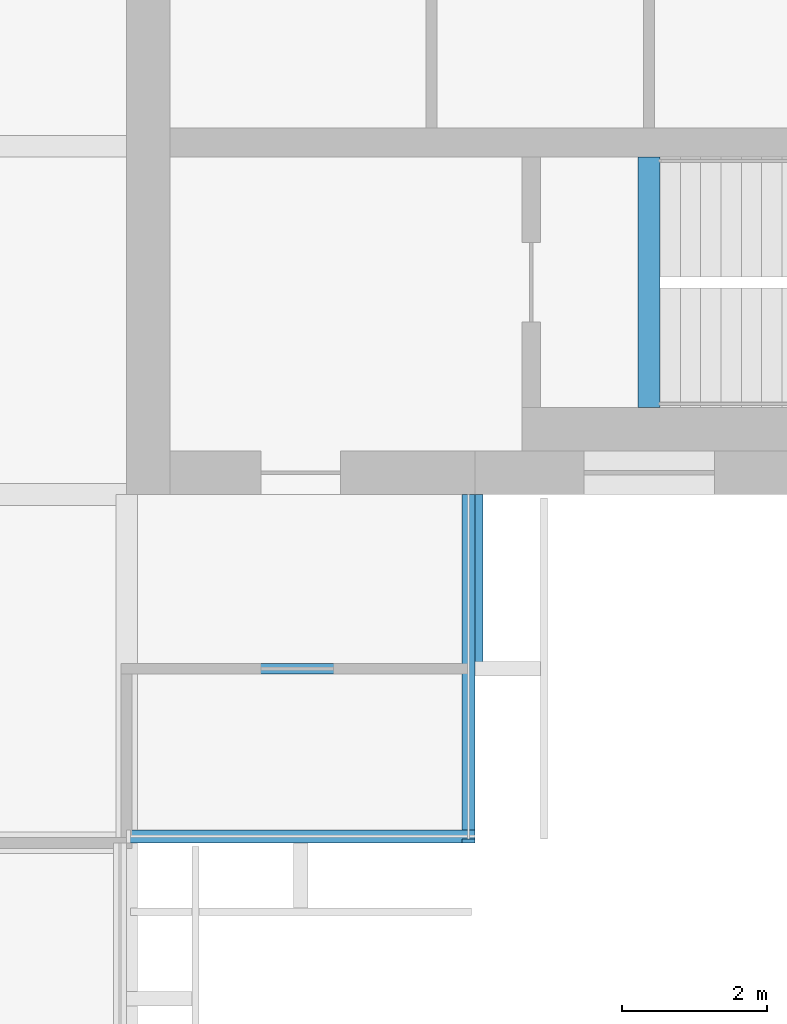
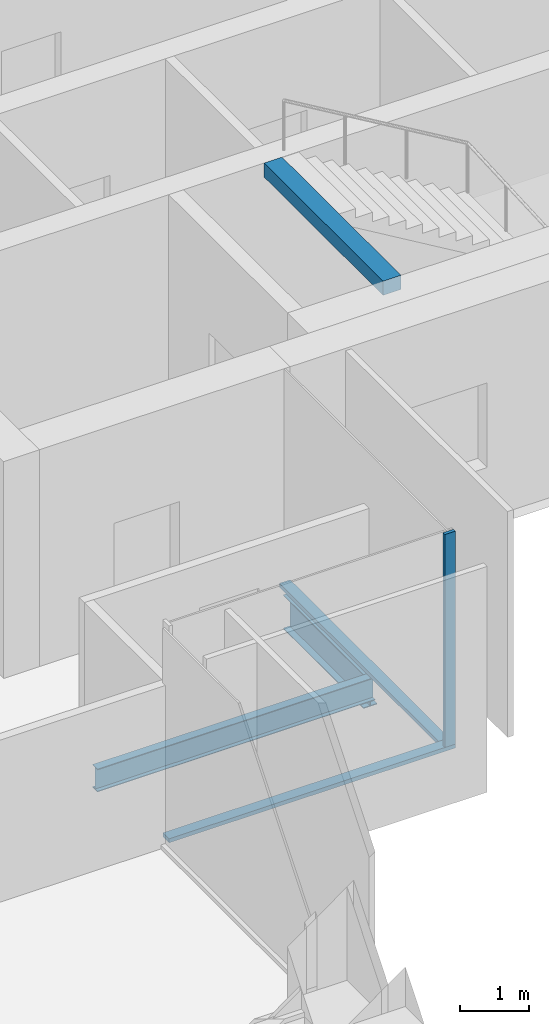
# One storey, part 4 of 12: 3 beams, 3 members, 2 elements without a shape of their own.
"""IFC4 building model written with IfcOpenShell, lengths in metres."""

from ifc_helpers import new_model, si_unit, direction, frame, origin, origin_2d, place, context, subcontext, project, spatial, rectangle, i_section, extrude, material, material_profile, profile_set, type_object, element, aggregate, save


model = new_model("IFC4")

# Units and contexts
model_context = context("Model", 3, precision=1e-05, world=origin(), true_north=direction((0.0, 1.0)))
body_context = subcontext(model_context, "Body", "Model", "MODEL_VIEW")
ifc_project = project(units=[si_unit("LENGTHUNIT", "METRE"), si_unit("AREAUNIT", "SQUARE_METRE"), si_unit("VOLUMEUNIT", "CUBIC_METRE"), si_unit("PLANEANGLEUNIT", "RADIAN"), si_unit("MASSUNIT", "GRAM", prefix="KILO")], contexts=[model_context])

# Site, building, storey
site_placement = place(None, origin())
site = spatial("IfcSite", under=ifc_project, at=site_placement, CompositionType="ELEMENT")
building_placement = place(site_placement, origin())
building = spatial("IfcBuilding", under=site, at=building_placement, Name="Baori Bourse Tower", CompositionType="ELEMENT")
storey_placement = place(building_placement, frame((0.0, 0.0, 342.300048828125)))
storey = spatial("IfcBuildingStorey", under=building, at=storey_placement, Name="L76", CompositionType="ELEMENT", Elevation=342.300048828125)

# Curtain wall, member
ifc_material_1 = material(Name="Pale anodised aluminium", Category="aluminium")
curtain_wall_type = type_object("IfcCurtainWallType", Name="CW2 Curtain wall", PredefinedType="NOTDEFINED", material=ifc_material_1)
curtain_wall_1_placement = place(storey_placement, origin())
curtain_wall_1 = element("IfcCurtainWall", 1, at=curtain_wall_1_placement, inside=storey, type_object=curtain_wall_type, Name="Curtain wall CW2 L76 14", PredefinedType="NOTDEFINED")
ifc_material_2 = material(Name="Pale anodised aluminium", Category="aluminium")
ifc_material_profile_1 = material_profile(ifc_material_2, rectangle(XDim=0.179931640625, YDim=0.054931640625, at=origin_2d()), Name="Mullion 55x180")
ifc_profile_set_1 = profile_set([ifc_material_profile_1], Name="Pale anodised aluminium")
member_type_1 = type_object("IfcMemberType", Name="CW2 Curtain wall mullion", PredefinedType="MULLION", material=ifc_profile_set_1)
member_1_placement = place(storey_placement, frame((43.110107421875, 4.827392578125, 0.070068359375), z_axis=(0.0, 0.0, 1.0), x_axis=(-1.0, 0.0, 0.0)))
member_1 = element("IfcMember", 2, at=member_1_placement, type_object=member_type_1, Name="Curtain wall CW2 mullion", PredefinedType="MULLION", context=body_context, shape_type="SweptSolid", body=[
    extrude(rectangle(XDim=0.179931640625, YDim=0.054931640625, at=origin_2d()), origin(), (0.0, 0.0, 1.0), 3.769775390625),
])

curtain_wall_2_placement = place(storey_placement, origin())
curtain_wall_2 = element("IfcCurtainWall", 3, at=curtain_wall_2_placement, inside=storey, type_object=curtain_wall_type, Name="Curtain wall CW2 L76 13", PredefinedType="NOTDEFINED")
ifc_material_3 = material(Name="Pale anodised aluminium", Category="aluminium")
ifc_material_profile_2 = material_profile(ifc_material_3, rectangle(XDim=0.179931640625, YDim=0.070068359375, at=origin_2d()), Name="Transom 70x180")
ifc_profile_set_2 = profile_set([ifc_material_profile_2], Name="Pale anodised aluminium")
member_type_2 = type_object("IfcMemberType", Name="CW2 Curtain wall transom", PredefinedType="USERDEFINED", material=ifc_profile_set_2)
member_2_placement = place(storey_placement, frame((38.39990234375, 4.889892578125, 0.034912109375), z_axis=(1.0, 0.0, 0.0), x_axis=(0.0, 1.0, 0.0)))
member_2 = element("IfcMember", 4, at=member_2_placement, type_object=member_type_2, Name="Curtain wall CW2 sill rail", ObjectType="TRANSOM", PredefinedType="USERDEFINED", context=body_context, shape_type="SweptSolid", body=[
    extrude(rectangle(XDim=0.179931640625, YDim=0.070068359375, at=origin_2d()), origin(), (0.0, 0.0, 1.0), 4.800048828125),
])
aggregate(curtain_wall_2, [member_2])

# Member
member_3_placement = place(storey_placement, frame((43.110107421875, 4.800048828125, 0.034912109375), z_axis=(0.0, 1.0, 0.0), x_axis=(-1.0, 0.0, 0.0)))
member_3 = element("IfcMember", 5, at=member_3_placement, type_object=member_type_2, Name="Curtain wall CW2 sill rail", ObjectType="TRANSOM", PredefinedType="USERDEFINED", context=body_context, shape_type="SweptSolid", body=[
    extrude(rectangle(XDim=0.179931640625, YDim=0.070068359375, at=origin_2d()), origin(), (0.0, 0.0, 1.0), 4.800048828125),
])

aggregate(curtain_wall_1, [member_3, member_1])

# Beams
ifc_material_4 = material(Name="Steel A992 Gr 50", Category="steel")
ifc_material_profile_3 = material_profile(ifc_material_4, i_section(OverallWidth=0.227783203125, OverallDepth=0.60205078125, WebThickness=0.010498046875, FlangeThickness=0.014892578125, at=origin_2d()), Name="W24x68")
ifc_profile_set_3 = profile_set([ifc_material_profile_3], Name="Steel A992 Gr 50")
beam_type_1 = type_object("IfcBeamType", Name="Core bracket W24x68", PredefinedType="BEAM", material=ifc_profile_set_3)
beam_1_placement = place(storey_placement, frame((43.199951171875, 7.270263671875, -0.4609375), z_axis=(0.0, 1.0, 0.0), x_axis=(-1.0, 0.0, 0.0)))
element("IfcBeam", 6, at=beam_1_placement, inside=storey, type_object=beam_type_1, Name="Core bracket L76", PredefinedType="BEAM", context=body_context, shape_type="SweptSolid", body=[
    extrude(i_section(OverallWidth=0.227783203125, OverallDepth=0.60205078125, WebThickness=0.010498046875, FlangeThickness=0.014892578125, at=origin_2d()), origin(), (0.0, 0.0, 1.0), 2.329833984375),
])
ifc_material_5 = material(Name="Concrete f'c 50 MPa", Category="concrete")
ifc_material_profile_4 = material_profile(ifc_material_5, rectangle(XDim=0.300048828125, YDim=0.25, at=origin_2d()), Name="RC 300x250")
ifc_profile_set_4 = profile_set([ifc_material_profile_4], Name="Concrete f'c 50 MPa")
beam_type_2 = type_object("IfcBeamType", Name="Stair nib beam RC 300x250", PredefinedType="BEAM", material=ifc_profile_set_4)
beam_2_placement = place(storey_placement, frame((45.60009765625, 10.800048828125, 3.71484375), z_axis=(0.0, 1.0, 0.0), x_axis=(-1.0, 0.0, 0.0)))
element("IfcBeam", 7, at=beam_2_placement, inside=storey, type_object=beam_type_2, Name="Stair EA nib beam L77", PredefinedType="BEAM", context=body_context, shape_type="SweptSolid", body=[
    extrude(rectangle(XDim=0.300048828125, YDim=0.25, at=origin_2d()), origin(), (0.0, 0.0, 1.0), 3.449951171875),
])
ifc_material_6 = material(Name="Steel A992 Gr 50", Category="steel")
ifc_material_profile_5 = material_profile(ifc_material_6, i_section(OverallWidth=0.140380859375, OverallDepth=0.40380859375, WebThickness=0.007080078125, FlangeThickness=0.01123046875, at=origin_2d()), Name="W16x31")
ifc_profile_set_5 = profile_set([ifc_material_profile_5], Name="Steel A992 Gr 50")
beam_type_3 = type_object("IfcBeamType", Name="Trimmer beam W16x31", PredefinedType="BEAM", material=ifc_profile_set_5)
beam_3_placement = place(storey_placement, frame((38.546142578125, 7.199951171875, -0.362060546875), z_axis=(1.0, 0.0, 0.0), x_axis=(0.0, 1.0, 0.0)))
element("IfcBeam", 8, at=beam_3_placement, inside=storey, type_object=beam_type_3, Name="Trimmer beam L76", PredefinedType="BEAM", context=body_context, shape_type="SweptSolid", body=[
    extrude(i_section(OverallWidth=0.140380859375, OverallDepth=0.40380859375, WebThickness=0.007080078125, FlangeThickness=0.01123046875, at=origin_2d()), origin(), (0.0, 0.0, 1.0), 4.65380859375),
])

save(model, "model.ifc")
